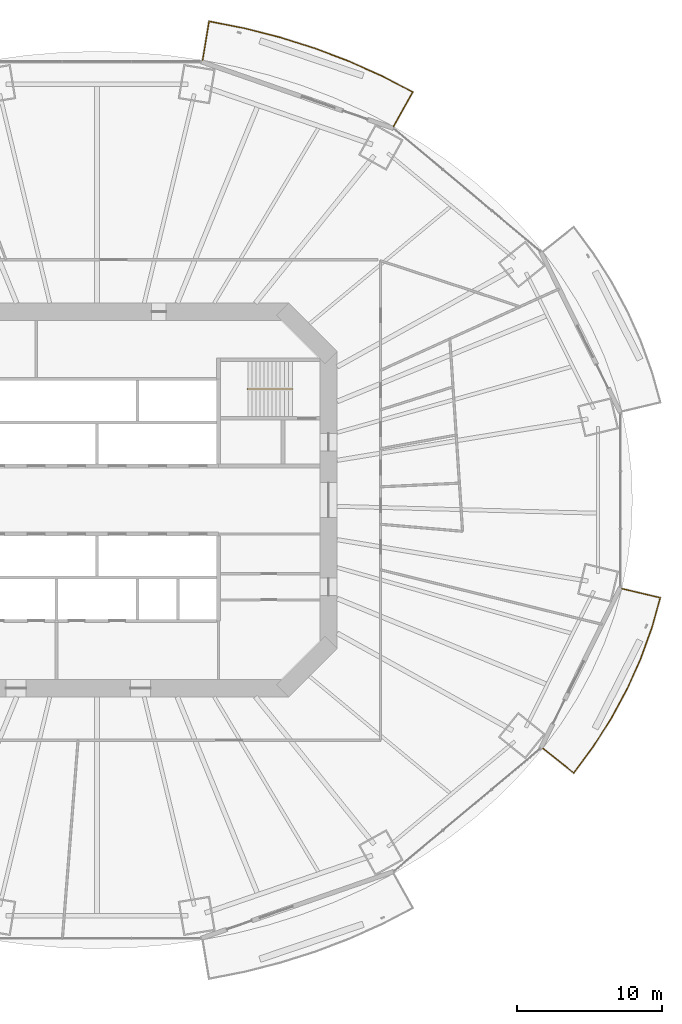
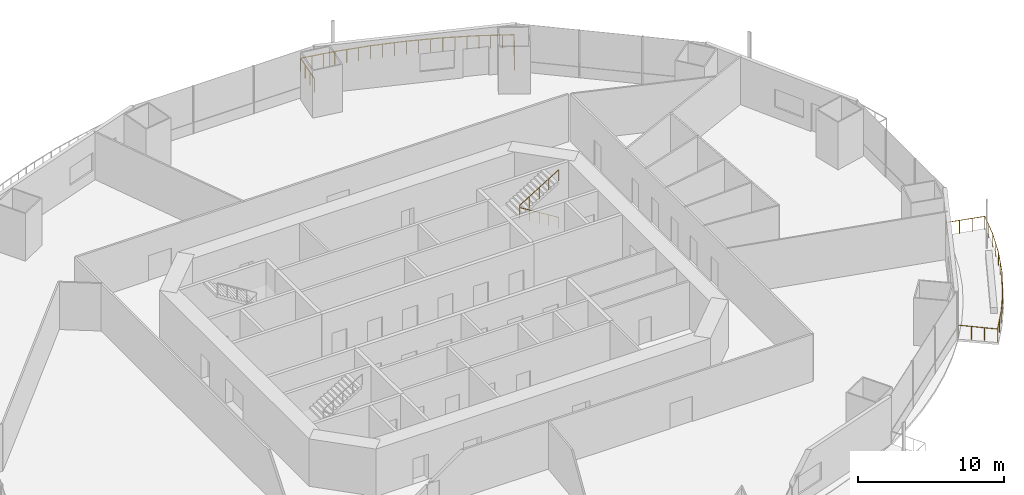
# One storey, part 21 of 23: 3 railings.
"""IFC4 building model written with IfcOpenShell, lengths in metres."""

import ifcopenshell
import ifcopenshell.guid

model = None  # the IFC model being written
_history = None  # IfcOwnerHistory: only IFC2X3 demands one
_inside = {}  # id of a spatial element -> (the spatial element, [elements in it])
_under = {}  # id of a project, library or spatial element -> (it, [spatial elements below it])
_declared = {}  # id of a project -> (the project, [libraries it declares])
_typed = {}  # id of a type object -> (the type object, [elements of that type])
_made_of = {}  # id of a material, layer set ... -> (it, [elements and type objects made of it])


def new_model(schema):
    """Start an empty IFC model of exactly this schema.

    Asked for "IFC4X3", IfcOpenShell would pick the latest addendum, in which some entities
    have other attributes; the version numbers below select the first issue.
    IFC2X3 requires an IfcOwnerHistory on every rooted entity: one is made here for all.
    """
    global model, _history
    if schema == "IFC4X3":
        model = ifcopenshell.file(schema_version=(4, 3, 0, 0))
    else:
        model = ifcopenshell.file(schema=schema)
    _inside.clear()
    _under.clear()
    _declared.clear()
    _typed.clear()
    _made_of.clear()
    _history = None
    if model.schema == "IFC2X3":
        org = make("IfcOrganization", Name="unknown")
        user = make(
            "IfcPersonAndOrganization",
            ThePerson=make("IfcPerson", FamilyName="unknown"),
            TheOrganization=org,
        )
        app = make(
            "IfcApplication",
            ApplicationDeveloper=org,
            Version="unknown",
            ApplicationFullName="unknown",
            ApplicationIdentifier="unknown",
        )
        _history = make(
            "IfcOwnerHistory",
            OwningUser=user,
            OwningApplication=app,
            ChangeAction="ADDED",
            CreationDate=0,
        )
    return model


def make(cls, **values):
    """One entity of the class cls with the attributes given. An attribute that is None is left unset."""
    return model.create_entity(
        cls, **{name: value for name, value in values.items() if value is not None}
    )


def rooted(cls, **values):
    """An entity with a GlobalId (a new one), such as an element, a storey or a relation."""
    return make(cls, GlobalId=ifcopenshell.guid.new(), OwnerHistory=_history, **values)


def si_unit(unit_type, name, prefix=None):
    """IfcSIUnit, for example si_unit("LENGTHUNIT", "METRE", prefix="MILLI")."""
    return make("IfcSIUnit", UnitType=unit_type, Prefix=prefix, Name=name)


def assignment(units):
    """IfcUnitAssignment: the units of a project."""
    return None if units is None else make("IfcUnitAssignment", Units=units)


def point(xyz):
    """IfcCartesianPoint."""
    return None if xyz is None else make("IfcCartesianPoint", Coordinates=xyz)


def direction(xyz):
    """IfcDirection."""
    return None if xyz is None else make("IfcDirection", DirectionRatios=xyz)


def frame(location, z_axis=None, x_axis=None):
    """IfcAxis2Placement3D, a coordinate frame: its origin and axes. An axis left out is left unset."""
    return make(
        "IfcAxis2Placement3D",
        Location=point(location),
        Axis=direction(z_axis),
        RefDirection=direction(x_axis),
    )


def frame_2d(location, x_axis=None):
    """IfcAxis2Placement2D, a coordinate frame in the plane: its origin and x axis."""
    return make(
        "IfcAxis2Placement2D", Location=point(location), RefDirection=direction(x_axis)
    )


def origin():
    """The frame at (0, 0, 0) with its axes left unset."""
    return frame((0.0, 0.0, 0.0))


def origin_2d():
    """The frame at (0, 0) in the plane with its x axis left unset."""
    return frame_2d((0.0, 0.0))


def place(relative_to, where):
    """IfcLocalPlacement: puts the frame where relative to a parent placement (None: the world)."""
    return make(
        "IfcLocalPlacement", PlacementRelTo=relative_to, RelativePlacement=where
    )


def context(
    kind, dimensions, precision=None, world=None, true_north=None, identifier=None
):
    """IfcGeometricRepresentationContext, for example the 3D "Model" context."""
    return make(
        "IfcGeometricRepresentationContext",
        ContextIdentifier=identifier,
        ContextType=kind,
        CoordinateSpaceDimension=dimensions,
        Precision=precision,
        WorldCoordinateSystem=world,
        TrueNorth=true_north,
    )


def subcontext(parent, identifier, kind, view, scale=None):
    """IfcGeometricRepresentationSubContext, for example "Body" below "Model"."""
    return make(
        "IfcGeometricRepresentationSubContext",
        ContextIdentifier=identifier,
        ContextType=kind,
        ParentContext=parent,
        TargetScale=scale,
        TargetView=view,
    )


def project(units=None, contexts=None):
    """IfcProject with its units and contexts."""
    return rooted(
        "IfcProject",
        Name="project",
        RepresentationContexts=contexts,
        UnitsInContext=assignment(units),
    )


def spatial(cls, under=None, at=None, **own):
    """A site, building, storey or space (cls), placed at a placement, below another one or the project."""
    s = rooted(cls, ObjectPlacement=at, **own)
    if under is not None:
        _under.setdefault(under.id(), (under, []))[1].append(s)
    return s


def profile(cls, at=None, kind="AREA", **sizes):
    """A parametric profile (cls). Its sizes go by their IFC names, for example OverallWidth=200.0."""
    return make(cls, ProfileType=kind, Position=at, **sizes)


def circle(**sizes):
    """IfcCircleProfileDef."""
    return profile("IfcCircleProfileDef", **sizes)


def extrude(swept, where, along, depth):
    """IfcExtrudedAreaSolid: the profile swept, set in the frame where, extruded along a direction by depth."""
    return make(
        "IfcExtrudedAreaSolid",
        SweptArea=swept,
        Position=where,
        ExtrudedDirection=direction(along),
        Depth=depth,
    )


def shape(context_of_items, identifier, shape_type, items):
    """IfcShapeRepresentation: the items that make up one representation, for example the "Body"."""
    return make(
        "IfcShapeRepresentation",
        ContextOfItems=context_of_items,
        RepresentationIdentifier=identifier,
        RepresentationType=shape_type,
        Items=items,
    )


def material(Name=None, Category=None):
    """IfcMaterial."""
    return make("IfcMaterial", Name=Name, Category=Category)


def made_of(thing, what):
    """Note that an element or type object is made of a material, layer set ...; save() writes the relation."""
    if what is not None:
        _made_of.setdefault(what.id(), (what, []))[1].append(thing)
    return thing


def type_object(cls, material=None, **own):
    """A type object (cls), such as IfcWallType, which elements share."""
    return made_of(rooted(cls, **own), material)


def element(
    cls,
    number,
    at=None,
    inside=None,
    cuts=None,
    type_object=None,
    material=None,
    context=None,
    identifier="Body",
    shape_type=None,
    held_by="IfcProductDefinitionShape",
    body=None,
    shapes=None,
    **own,
):
    """One element of the class cls, such as IfcWall. Its Tag is "e" and its number.

    at: its placement. inside: the storey or other place that contains it. cuts: it is an
    opening in that element (IfcRelVoidsElement). A single representation is given by context,
    identifier, shape_type and body (its items); several are given by shapes. held_by: the class
    of the entity that holds the representations. save() writes the other relations.
    """
    e = rooted(cls, Tag="e%d" % number, ObjectPlacement=at, **own)
    if body is not None:
        shapes = [shape(context, identifier, shape_type, body)]
    if shapes is not None:
        e.Representation = make(held_by, Representations=shapes)
    if inside is not None:
        _inside.setdefault(inside.id(), (inside, []))[1].append(e)
    if cuts is not None:
        rooted(
            "IfcRelVoidsElement", RelatingBuildingElement=cuts, RelatedOpeningElement=e
        )
    if type_object is not None:
        _typed.setdefault(type_object.id(), (type_object, []))[1].append(e)
    return made_of(e, material)


def aggregate(whole, parts):
    """IfcRelAggregates: a whole, such as a stair, and the parts it consists of."""
    return rooted("IfcRelAggregates", RelatingObject=whole, RelatedObjects=parts)


def save(model, path):
    """Write the relations noted so far, then the file.

    IfcRelAggregates (storeys below a building ...), IfcRelContainedInSpatialStructure (elements
    in a storey), IfcRelDefinesByType, IfcRelAssociatesMaterial and IfcRelDeclares: one each for
    every whole, place, type object, material and project.
    """
    for whole, parts in _under.values():
        aggregate(whole, parts)
    for where, things in _inside.values():
        rooted(
            "IfcRelContainedInSpatialStructure",
            RelatedElements=things,
            RelatingStructure=where,
        )
    for kind, things in _typed.values():
        rooted("IfcRelDefinesByType", RelatedObjects=things, RelatingType=kind)
    for what, things in _made_of.values():
        rooted("IfcRelAssociatesMaterial", RelatedObjects=things, RelatingMaterial=what)
    for by, libraries in _declared.values():
        rooted("IfcRelDeclares", RelatingContext=by, RelatedDefinitions=libraries)
    model.write(path)


model = new_model("IFC4")

# Units and contexts
model_context = context("Model", 3, precision=1e-05, world=origin(), true_north=direction((0.0, 1.0)))
body_context = subcontext(model_context, "Body", "Model", "MODEL_VIEW")
ifc_project = project(units=[si_unit("LENGTHUNIT", "METRE"), si_unit("AREAUNIT", "SQUARE_METRE"), si_unit("VOLUMEUNIT", "CUBIC_METRE"), si_unit("PLANEANGLEUNIT", "RADIAN"), si_unit("MASSUNIT", "GRAM", prefix="KILO")], contexts=[model_context])

# Site, building, storey
site_placement = place(None, origin())
site = spatial("IfcSite", under=ifc_project, at=site_placement, CompositionType="ELEMENT")
building_placement = place(site_placement, origin())
building = spatial("IfcBuilding", under=site, at=building_placement, Name="Marenthal Gate Tower", CompositionType="ELEMENT")
storey_placement = place(building_placement, frame((0.0, 0.0, 37.14990234375)))
storey = spatial("IfcBuildingStorey", under=building, at=storey_placement, Name="L05", CompositionType="ELEMENT", Elevation=37.14990234375)

# Railings
ifc_material_1 = material(Name="Stainless steel", Category="steel")
railing_type_1 = type_object("IfcRailingType", Name="Balcony guard 1100", PredefinedType="GUARDRAIL", material=ifc_material_1)
railing_1_placement = place(storey_placement, frame((7.297119140625, 30.39111328125, 0.0)))
element("IfcRailing", 1, at=railing_1_placement, inside=storey, type_object=railing_type_1, Name="Balcony guard L05 bay 3", PredefinedType="GUARDRAIL", context=body_context, shape_type="SweptSolid", body=[
    extrude(circle(Radius=0.02392578125, at=origin_2d()), frame((0.0, 0.0, 1.076171875), z_axis=(0.164512379847, 0.986266525987, -0.014629306009), x_axis=(-0.986372081632, 0.164529986862, 0.0)), (0.0, 0.0, 1.0), 2.72021484375),
    extrude(circle(Radius=0.02392578125, at=origin_2d()), frame((0.447509765625, 2.682861328125, 1.0361328125), z_axis=(0.981295113893, -0.192509478854, 0.0), x_axis=(0.192509478854, 0.981295113893, 0.0)), (0.0, 0.0, 1.0), 2.474365234375),
    extrude(circle(Radius=0.02392578125, at=origin_2d()), frame((2.87548828125, 2.20654296875, 1.0361328125), z_axis=(0.969175134663, -0.246372803593, 0.0), x_axis=(0.246372803593, 0.969175134663, 0.0)), (0.0, 0.0, 1.0), 2.543701171875),
    extrude(circle(Radius=0.02392578125, at=origin_2d()), frame((5.3408203125, 1.579833984375, 1.0361328125), z_axis=(0.953699220219, -0.300762027778, 0.0), x_axis=(0.300762027778, 0.953699220219, 0.0)), (0.0, 0.0, 1.0), 2.531005859375),
    extrude(circle(Radius=0.02392578125, at=origin_2d()), frame((7.754638671875, 0.818603515625, 1.0361328125), z_axis=(0.934889862007, -0.354937946572, 0.0), x_axis=(0.354937946572, 0.934889862007, 0.0)), (0.0, 0.0, 1.0), 2.51611328125),
    extrude(circle(Radius=0.02392578125, at=origin_2d()), frame((10.10693359375, -0.074462890625, 1.0361328125), z_axis=(0.912627469977, -0.4087922468, 0.0), x_axis=(0.4087922468, 0.912627469977, 0.0)), (0.0, 0.0, 1.0), 2.499267578125),
    extrude(circle(Radius=0.02392578125, at=origin_2d()), frame((12.387939453125, -1.09619140625, 1.0361328125), z_axis=(0.887343289023, -0.461109409387, 0.0), x_axis=(0.461109409387, 0.887343289023, 0.0)), (0.0, 0.0, 1.0), 2.401123046875),
    extrude(circle(Radius=0.02392578125, at=origin_2d()), frame((14.5185546875, -2.203369140625, 1.0361328125), z_axis=(-0.488674059156, -0.872343775022, 0.014628810219), x_axis=(0.872437131701, -0.488726356184, 0.0)), (0.0, 0.0, 1.0), 2.72021484375),
    extrude(circle(Radius=0.02099609375, at=origin_2d()), origin(), (0.0, 0.0, 1.0), 1.052001953125),
    extrude(circle(Radius=0.02099609375, at=origin_2d()), frame((0.149169921875, 0.894287109375, -0.01318359375)), (0.0, 0.0, 1.0), 1.052001953125),
    extrude(circle(Radius=0.02099609375, at=origin_2d()), frame((0.29833984375, 1.78857421875, -0.026611328125)), (0.0, 0.0, 1.0), 1.052001953125),
    extrude(circle(Radius=0.02099609375, at=origin_2d()), frame((0.447509765625, 2.682861328125, -0.039794921875)), (0.0, 0.0, 1.0), 1.052001953125),
    extrude(circle(Radius=0.02099609375, at=origin_2d()), frame((1.2568359375, 2.524169921875, -0.039794921875)), (0.0, 0.0, 1.0), 1.052001953125),
    extrude(circle(Radius=0.02099609375, at=origin_2d()), frame((2.066162109375, 2.365234375, -0.039794921875)), (0.0, 0.0, 1.0), 1.052001953125),
    extrude(circle(Radius=0.02099609375, at=origin_2d()), frame((2.87548828125, 2.20654296875, -0.039794921875)), (0.0, 0.0, 1.0), 1.052001953125),
    extrude(circle(Radius=0.02099609375, at=origin_2d()), frame((3.697265625, 1.99755859375, -0.039794921875)), (0.0, 0.0, 1.0), 1.052001953125),
    extrude(circle(Radius=0.02099609375, at=origin_2d()), frame((4.51904296875, 1.788818359375, -0.039794921875)), (0.0, 0.0, 1.0), 1.052001953125),
    extrude(circle(Radius=0.02099609375, at=origin_2d()), frame((5.3408203125, 1.579833984375, -0.039794921875)), (0.0, 0.0, 1.0), 1.052001953125),
    extrude(circle(Radius=0.02099609375, at=origin_2d()), frame((6.1455078125, 1.326171875, -0.039794921875)), (0.0, 0.0, 1.0), 1.052001953125),
    extrude(circle(Radius=0.02099609375, at=origin_2d()), frame((6.949951171875, 1.072265625, -0.039794921875)), (0.0, 0.0, 1.0), 1.052001953125),
    extrude(circle(Radius=0.02099609375, at=origin_2d()), frame((7.754638671875, 0.818603515625, -0.039794921875)), (0.0, 0.0, 1.0), 1.052001953125),
    extrude(circle(Radius=0.02099609375, at=origin_2d()), frame((8.538818359375, 0.52099609375, -0.039794921875)), (0.0, 0.0, 1.0), 1.052001953125),
    extrude(circle(Radius=0.02099609375, at=origin_2d()), frame((9.32275390625, 0.22314453125, -0.039794921875)), (0.0, 0.0, 1.0), 1.052001953125),
    extrude(circle(Radius=0.02099609375, at=origin_2d()), frame((10.10693359375, -0.074462890625, -0.039794921875)), (0.0, 0.0, 1.0), 1.052001953125),
    extrude(circle(Radius=0.02099609375, at=origin_2d()), frame((10.8671875, -0.4150390625, -0.039794921875)), (0.0, 0.0, 1.0), 1.052001953125),
    extrude(circle(Radius=0.02099609375, at=origin_2d()), frame((11.627685546875, -0.755615234375, -0.039794921875)), (0.0, 0.0, 1.0), 1.052001953125),
    extrude(circle(Radius=0.02099609375, at=origin_2d()), frame((12.387939453125, -1.09619140625, -0.039794921875)), (0.0, 0.0, 1.0), 1.052001953125),
    extrude(circle(Radius=0.02099609375, at=origin_2d()), frame((13.09814453125, -1.46533203125, -0.039794921875)), (0.0, 0.0, 1.0), 1.052001953125),
    extrude(circle(Radius=0.02099609375, at=origin_2d()), frame((13.808349609375, -1.834228515625, -0.039794921875)), (0.0, 0.0, 1.0), 1.052001953125),
    extrude(circle(Radius=0.02099609375, at=origin_2d()), frame((14.5185546875, -2.203369140625, -0.039794921875)), (0.0, 0.0, 1.0), 1.052001953125),
    extrude(circle(Radius=0.02099609375, at=origin_2d()), frame((14.075439453125, -2.994384765625, -0.026611328125)), (0.0, 0.0, 1.0), 1.052001953125),
    extrude(circle(Radius=0.02099609375, at=origin_2d()), frame((13.63232421875, -3.785400390625, -0.01318359375)), (0.0, 0.0, 1.0), 1.052001953125),
    extrude(circle(Radius=0.02099609375, at=origin_2d()), frame((13.189208984375, -4.576416015625, 0.0)), (0.0, 0.0, 1.0), 1.052001953125),
])
railing_2_placement = place(storey_placement, frame((36.2705078125, -6.125732421875, 0.0)))
element("IfcRailing", 2, at=railing_2_placement, inside=storey, type_object=railing_type_1, Name="Balcony guard L05 bay 15", PredefinedType="GUARDRAIL", context=body_context, shape_type="SweptSolid", body=[
    extrude(circle(Radius=0.02392578125, at=origin_2d()), frame((0.0, 0.0, 1.076171875), z_axis=(0.972907805034, -0.230730187874, -0.014628168271), x_axis=(0.230754878041, 0.973011914758, 0.0)), (0.0, 0.0, 1.0), 2.720458984375),
    extrude(circle(Radius=0.02392578125, at=origin_2d()), frame((2.646728515625, -0.627685546875, 1.0361328125), z_axis=(-0.269417915844, -0.963023357257, 0.0), x_axis=(0.963023357257, -0.269417915844, 0.0)), (0.0, 0.0, 1.0), 2.178466796875),
    extrude(circle(Radius=0.02392578125, at=origin_2d()), frame((2.059814453125, -2.7255859375, 1.0361328125), z_axis=(-0.340490278663, -0.940248036497, 0.0), x_axis=(0.940248036497, -0.340490278663, 0.0)), (0.0, 0.0, 1.0), 2.269287109375),
    extrude(circle(Radius=0.02392578125, at=origin_2d()), frame((1.287109375, -4.859375, 1.0361328125), z_axis=(-0.40965760042, -0.912239360266, 0.0), x_axis=(0.912239360266, -0.40965760042, 0.0)), (0.0, 0.0, 1.0), 2.283203125),
    extrude(circle(Radius=0.02392578125, at=origin_2d()), frame((0.351806640625, -6.942138671875, 1.0361328125), z_axis=(-0.47570140033, -0.879606831331, 0.0), x_axis=(0.879606831331, -0.47570140033, 0.0)), (0.0, 0.0, 1.0), 2.298828125),
    extrude(circle(Radius=0.02392578125, at=origin_2d()), frame((-0.74169921875, -8.964111328125, 1.0361328125), z_axis=(-0.537802777327, -0.843070680726, 0.0), x_axis=(0.843070680726, -0.537802777327, 0.0)), (0.0, 0.0, 1.0), 2.316162109375),
    extrude(circle(Radius=0.02392578125, at=origin_2d()), frame((-1.9873046875, -10.916748046875, 1.0361328125), z_axis=(-0.59494792191, -0.803764250396, 0.0), x_axis=(0.803764250396, -0.59494792191, 0.0)), (0.0, 0.0, 1.0), 2.25537109375),
    extrude(circle(Radius=0.02392578125, at=origin_2d()), frame((-3.3291015625, -12.7294921875, 1.0361328125), z_axis=(-0.781983380654, 0.623127580842, 0.014629093429), x_axis=(-0.62319426943, -0.782067070365, 0.0)), (0.0, 0.0, 1.0), 2.72021484375),
    extrude(circle(Radius=0.02099609375, at=origin_2d()), origin(), (0.0, 0.0, 1.0), 1.052001953125),
    extrude(circle(Radius=0.02099609375, at=origin_2d()), frame((0.88232421875, -0.209228515625, -0.01318359375)), (0.0, 0.0, 1.0), 1.052001953125),
    extrude(circle(Radius=0.02099609375, at=origin_2d()), frame((1.764404296875, -0.41845703125, -0.026611328125)), (0.0, 0.0, 1.0), 1.052001953125),
    extrude(circle(Radius=0.02099609375, at=origin_2d()), frame((2.646728515625, -0.627685546875, -0.039794921875)), (0.0, 0.0, 1.0), 1.052001953125),
    extrude(circle(Radius=0.02099609375, at=origin_2d()), frame((2.353271484375, -1.6767578125, -0.039794921875)), (0.0, 0.0, 1.0), 1.052001953125),
    extrude(circle(Radius=0.02099609375, at=origin_2d()), frame((2.059814453125, -2.7255859375, -0.039794921875)), (0.0, 0.0, 1.0), 1.052001953125),
    extrude(circle(Radius=0.02099609375, at=origin_2d()), frame((1.67333984375, -3.79248046875, -0.039794921875)), (0.0, 0.0, 1.0), 1.052001953125),
    extrude(circle(Radius=0.02099609375, at=origin_2d()), frame((1.287109375, -4.859375, -0.039794921875)), (0.0, 0.0, 1.0), 1.052001953125),
    extrude(circle(Radius=0.02099609375, at=origin_2d()), frame((0.8193359375, -5.90087890625, -0.039794921875)), (0.0, 0.0, 1.0), 1.052001953125),
    extrude(circle(Radius=0.02099609375, at=origin_2d()), frame((0.351806640625, -6.942138671875, -0.039794921875)), (0.0, 0.0, 1.0), 1.052001953125),
    extrude(circle(Radius=0.02099609375, at=origin_2d()), frame((-0.19482421875, -7.953125, -0.039794921875)), (0.0, 0.0, 1.0), 1.052001953125),
    extrude(circle(Radius=0.02099609375, at=origin_2d()), frame((-0.74169921875, -8.964111328125, -0.039794921875)), (0.0, 0.0, 1.0), 1.052001953125),
    extrude(circle(Radius=0.02099609375, at=origin_2d()), frame((-1.364501953125, -9.9404296875, -0.039794921875)), (0.0, 0.0, 1.0), 1.052001953125),
    extrude(circle(Radius=0.02099609375, at=origin_2d()), frame((-1.9873046875, -10.916748046875, -0.039794921875)), (0.0, 0.0, 1.0), 1.052001953125),
    extrude(circle(Radius=0.02099609375, at=origin_2d()), frame((-2.658203125, -11.8232421875, -0.039794921875)), (0.0, 0.0, 1.0), 1.052001953125),
    extrude(circle(Radius=0.02099609375, at=origin_2d()), frame((-3.3291015625, -12.7294921875, -0.039794921875)), (0.0, 0.0, 1.0), 1.052001953125),
    extrude(circle(Radius=0.02099609375, at=origin_2d()), frame((-4.0380859375, -12.16455078125, -0.026611328125)), (0.0, 0.0, 1.0), 1.052001953125),
    extrude(circle(Radius=0.02099609375, at=origin_2d()), frame((-4.747314453125, -11.599365234375, -0.01318359375)), (0.0, 0.0, 1.0), 1.052001953125),
    extrude(circle(Radius=0.02099609375, at=origin_2d()), frame((-5.456298828125, -11.034423828125, 0.0)), (0.0, 0.0, 1.0), 1.052001953125),
])
ifc_material_2 = material(Name="Stainless steel", Category="steel")
railing_type_2 = type_object("IfcRailingType", Name="Stair handrail", PredefinedType="HANDRAIL", material=ifc_material_2)
railing_3_placement = place(storey_placement, frame((13.5, 7.675048828125, 0.173095703125)))
element("IfcRailing", 3, at=railing_3_placement, inside=storey, type_object=railing_type_2, Name="Handrail ST3", PredefinedType="HANDRAIL", context=body_context, shape_type="SweptSolid", body=[
    extrude(circle(Radius=0.0224609375, at=origin_2d()), frame((0.0, 0.0, 0.927490234375), z_axis=(-0.850835241893, 0.0, 0.525432575268), x_axis=(0.0, -1.0, 0.0)), (0.0, 0.0, 1.0), 3.6201171875),
    extrude(circle(Radius=0.0224609375, at=origin_2d()), frame((-3.080078125, 0.0, 2.82958984375), z_axis=(0.0, 0.0, 1.0), x_axis=(1.0, 0.0, 0.0)), (0.0, 0.0, 1.0), 0.1728515625),
    extrude(circle(Radius=0.0224609375, at=origin_2d()), frame((-3.080078125, 0.0, 3.00244140625), z_axis=(0.850835241893, 0.0, 0.525432575268), x_axis=(0.0, 1.0, 0.0)), (0.0, 0.0, 1.0), 3.6201171875),
    extrude(circle(Radius=0.02001953125, at=origin_2d()), origin(), (0.0, 0.0, 1.0), 0.905029296875),
    extrude(circle(Radius=0.02001953125, at=origin_2d()), frame((-0.77001953125, 0.0, 0.4755859375)), (0.0, 0.0, 1.0), 0.905029296875),
    extrude(circle(Radius=0.02001953125, at=origin_2d()), frame((-1.5400390625, 0.0, 0.951171875)), (0.0, 0.0, 1.0), 0.905029296875),
    extrude(circle(Radius=0.02001953125, at=origin_2d()), frame((-2.31005859375, 0.0, 1.426513671875)), (0.0, 0.0, 1.0), 0.905029296875),
    extrude(circle(Radius=0.02001953125, at=origin_2d()), frame((-3.080078125, 0.0, 1.902099609375)), (0.0, 0.0, 1.0), 0.905029296875),
    extrude(circle(Radius=0.02001953125, at=origin_2d()), frame((-3.080078125, 0.0, 2.074951171875)), (0.0, 0.0, 1.0), 0.905029296875),
    extrude(circle(Radius=0.02001953125, at=origin_2d()), frame((-2.31005859375, 0.0, 2.550537109375)), (0.0, 0.0, 1.0), 0.905029296875),
    extrude(circle(Radius=0.02001953125, at=origin_2d()), frame((-1.5400390625, 0.0, 3.02587890625)), (0.0, 0.0, 1.0), 0.905029296875),
    extrude(circle(Radius=0.02001953125, at=origin_2d()), frame((-0.77001953125, 0.0, 3.50146484375)), (0.0, 0.0, 1.0), 0.905029296875),
    extrude(circle(Radius=0.02001953125, at=origin_2d()), frame((0.0, 0.0, 3.97705078125)), (0.0, 0.0, 1.0), 0.905029296875),
])

save(model, "model.ifc")
